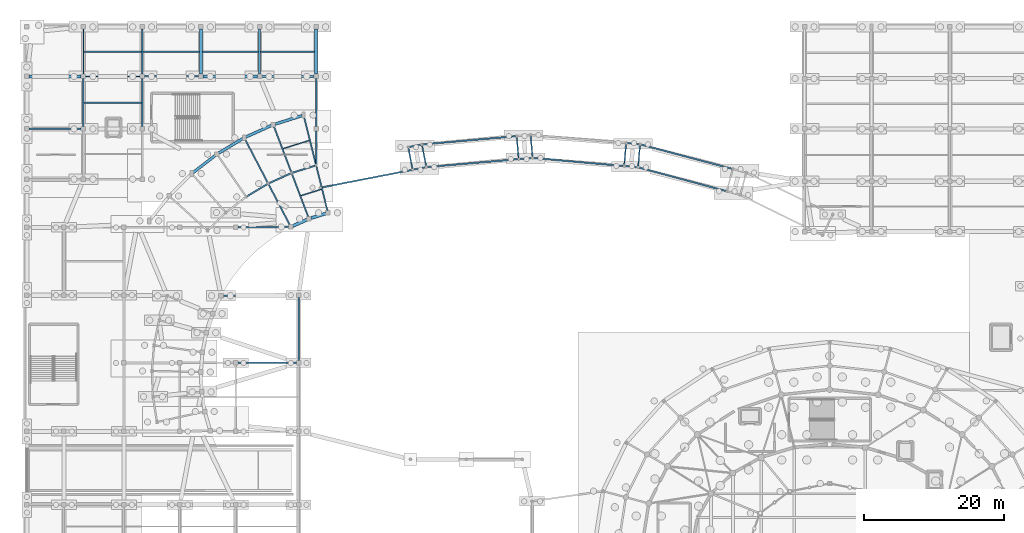
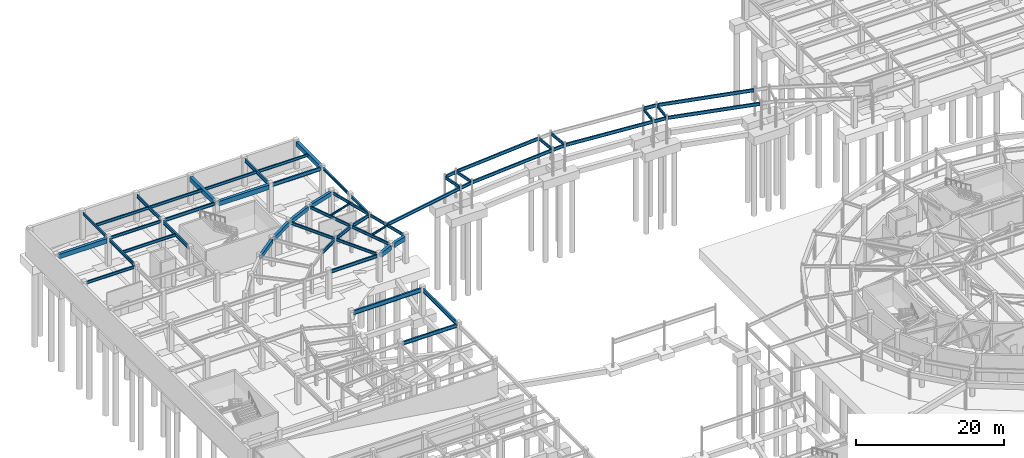
# One storey, part 31 of 68: 58 beams.
"""IFC4 building model written with IfcOpenShell, lengths in metres."""

from ifc_helpers import new_model, si_unit, direction, frame, origin, origin_2d, place, context, subcontext, project, spatial, rectangle, i_section, extrude, material, material_profile, profile_set, type_object, element, save


model = new_model("IFC4")

# Units and contexts
model_context = context("Model", 3, precision=1e-05, world=origin(), true_north=direction((0.0, 1.0)))
body_context = subcontext(model_context, "Body", "Model", "MODEL_VIEW")
ifc_project = project(units=[si_unit("LENGTHUNIT", "METRE"), si_unit("AREAUNIT", "SQUARE_METRE"), si_unit("VOLUMEUNIT", "CUBIC_METRE"), si_unit("PLANEANGLEUNIT", "RADIAN"), si_unit("MASSUNIT", "GRAM", prefix="KILO")], contexts=[model_context])

# Site, building, storey
site_placement = place(None, origin())
site = spatial("IfcSite", under=ifc_project, at=site_placement, CompositionType="ELEMENT")
building_placement = place(site_placement, origin())
building = spatial("IfcBuilding", under=site, at=building_placement, Name="Cinderbank Siding Concert Hall", CompositionType="ELEMENT")
storey_placement = place(building_placement, frame((0.0, 0.0, -4.800048828125)))
storey = spatial("IfcBuildingStorey", under=building, at=storey_placement, Name="B1", CompositionType="ELEMENT", Elevation=-4.800048828125)

# Beams
ifc_material_1 = material(Name="Reinforced concrete AS 3600 N50 (50 MPa)", Category="concrete")
ifc_material_profile_1 = material_profile(ifc_material_1, rectangle(XDim=0.39990234375, YDim=0.64990234375, at=origin_2d()), Name="RC-BM-400x650", Category="LoadBearing")
ifc_profile_set_1 = profile_set([ifc_material_profile_1], Name="Reinforced concrete AS 3600 N50 (50 MPa)")
beam_type_1 = type_object("IfcBeamType", Name="BM-RC650 RC-BM-400x650", PredefinedType="BEAM", material=ifc_profile_set_1)
for number, where, z_axis, x_axis, name in (
    (1, (46.503173828125, 105.194580078125, 4.156982421875), (-0.954236559392, -0.299052819281, 0.0), (0.299052819281, -0.954236559392, 0.0), "B1 Beam BM-RC650 #856"),
    (2, (42.07470703125, 103.767333984375, 4.156982421875), (-0.912123623418, -0.409915229776, 0.0), (0.409915229776, -0.912123623418, 0.0), "B1 Beam BM-RC650 #865"),
    (3, (38.0234375, 101.91845703125, 4.156982421875), (-0.857176665491, -0.515022488963, 0.0), (0.515022488963, -0.857176665491, 0.0), "B1 Beam BM-RC650 #869"),
    (4, (34.0546875, 99.489990234375, 4.156982421875), (-0.790152585681, -0.612910182115, 0.0), (0.612910182115, -0.790152585681, 0.0), "B1 Beam BM-RC650 #872"),
):
    element("IfcBeam", number, at=place(storey_placement, frame(where, z_axis=z_axis, x_axis=x_axis)), inside=storey, type_object=beam_type_1, Name=name, PredefinedType="BEAM", context=body_context, shape_type="SweptSolid", body=[
        extrude(rectangle(XDim=0.39990234375, YDim=0.64990234375, at=origin_2d()), origin(), (0.0, 0.0, 1.0), 4.020751953125),
    ])
ifc_material_profile_2 = material_profile(ifc_material_1, rectangle(XDim=0.449951171875, YDim=0.75, at=origin_2d()), Name="RC-BM-450x750", Category="LoadBearing")
ifc_profile_set_2 = profile_set([ifc_material_profile_2], Name="Reinforced concrete AS 3600 N50 (50 MPa)")
beam_type_2 = type_object("IfcBeamType", Name="BM-RC750 RC-BM-450x750", PredefinedType="BEAM", material=ifc_profile_set_2)
for number, where, z_axis, x_axis, name in (
    (5, (49.891357421875, 91.1923828125, 4.10693359375), (-0.954222454212, -0.299097823259, 0.0), (0.299097823259, -0.954222454212, 0.0), "B1 Beam BM-RC750 #854"),
    (6, (47.188232421875, 90.305908203125, 4.10693359375), (-0.912092768776, -0.40998387913, 0.0), (0.40998387913, -0.912092768776, 0.0), "B1 Beam BM-RC750 #863"),
):
    element("IfcBeam", number, at=place(storey_placement, frame(where, z_axis=z_axis, x_axis=x_axis)), inside=storey, type_object=beam_type_2, Name=name, PredefinedType="BEAM", context=body_context, shape_type="SweptSolid", body=[
        extrude(rectangle(XDim=0.449951171875, YDim=0.75, at=origin_2d()), origin(), (0.0, 0.0, 1.0), 2.212890625),
    ])
beam_1_placement = place(storey_placement, frame((7.4169921875, 110.800048828125, 4.14697265625), z_axis=(1.0, 0.0, 0.0), x_axis=(0.0, 1.0, 0.0)))
element("IfcBeam", 7, at=beam_1_placement, inside=storey, type_object=beam_type_2, Name="B1 Beam BM-RC750 #1141", PredefinedType="BEAM", context=body_context, shape_type="SweptSolid", body=[
    extrude(rectangle(XDim=0.449951171875, YDim=0.75, at=origin_2d()), origin(), (0.0, 0.0, 1.0), 7.466064453125),
])
beam_2_placement = place(storey_placement, frame((32.31689453125, 110.800048828125, 4.14697265625), z_axis=(1.0, 0.0, 0.0), x_axis=(0.0, 1.0, 0.0)))
element("IfcBeam", 8, at=beam_2_placement, inside=storey, type_object=beam_type_2, Name="B1 Beam BM-RC750 #1151", PredefinedType="BEAM", context=body_context, shape_type="SweptSolid", body=[
    extrude(rectangle(XDim=0.449951171875, YDim=0.75, at=origin_2d()), origin(), (0.0, 0.0, 1.0), 7.76611328125),
])
for number, where, z_axis, x_axis, name in (
    (9, (32.0, 111.116943359375, 4.14697265625), (0.0, 1.0, 0.0), (-1.0, 0.0, 0.0), "B1 Beam BM-RC750 #1152"),
    (10, (48.5, 111.116943359375, 4.14697265625), (0.0, 1.0, 0.0), (-1.0, 0.0, 0.0), "B1 Beam BM-RC750 #1156"),
):
    element("IfcBeam", number, at=place(storey_placement, frame(where, z_axis=z_axis, x_axis=x_axis)), inside=storey, type_object=beam_type_2, Name=name, PredefinedType="BEAM", context=body_context, shape_type="SweptSolid", body=[
        extrude(rectangle(XDim=0.449951171875, YDim=0.75, at=origin_2d()), origin(), (0.0, 0.0, 1.0), 6.466064453125),
    ])
ifc_material_2 = material(Name="Structural steel AS/NZS 3679.1 Grade 350 (340 MPa)", Category="steel")
ifc_material_profile_3 = material_profile(ifc_material_2, i_section(OverallWidth=0.18994140625, OverallDepth=0.45751953125, WebThickness=0.009033203125, FlangeThickness=0.014404296875, at=origin_2d()), Name="460UB74.6", Category="LoadBearing")
ifc_profile_set_3 = profile_set([ifc_material_profile_3], Name="Structural steel AS/NZS 3679.1 Grade 350 (340 MPa)")
beam_type_3 = type_object("IfcBeamType", Name="BM-UB460 460UB74.6", PredefinedType="BEAM", material=ifc_profile_set_3)
beam_3_placement = place(storey_placement, frame((61.70751953125, 100.532958984375, 4.25146484375), z_axis=(0.190871843299, -0.981614964961, 0.0), x_axis=(0.981614964961, 0.190871843299, 0.0)))
element("IfcBeam", 11, at=beam_3_placement, inside=storey, type_object=beam_type_3, Name="B1 Beam BM-UB460 #37", PredefinedType="BEAM", context=body_context, shape_type="SweptSolid", body=[
    extrude(i_section(OverallWidth=0.18994140625, OverallDepth=0.45751953125, WebThickness=0.009033203125, FlangeThickness=0.014404296875, at=origin_2d()), origin(), (0.0, 0.0, 1.0), 2.99169921875),
])
beam_4_placement = place(storey_placement, frame((63.67138671875, 100.914794921875, 4.25146484375), z_axis=(0.190574864555, -0.981672664894, 0.0), x_axis=(0.981672664894, 0.190574864555, 0.0)))
element("IfcBeam", 12, at=beam_4_placement, inside=storey, type_object=beam_type_3, Name="B1 Beam BM-UB460 #40", PredefinedType="BEAM", context=body_context, shape_type="SweptSolid", body=[
    extrude(i_section(OverallWidth=0.18994140625, OverallDepth=0.45751953125, WebThickness=0.009033203125, FlangeThickness=0.014404296875, at=origin_2d()), origin(), (0.0, 0.0, 1.0), 2.99267578125),
])
beam_5_placement = place(storey_placement, frame((77.21435546875, 102.107666015625, 4.25146484375), z_axis=(0.087319812676, -0.996180330219, 0.0), x_axis=(0.996180330219, 0.087319812676, 0.0)))
element("IfcBeam", 13, at=beam_5_placement, inside=storey, type_object=beam_type_3, Name="B1 Beam BM-UB460 #43", PredefinedType="BEAM", context=body_context, shape_type="SweptSolid", body=[
    extrude(i_section(OverallWidth=0.18994140625, OverallDepth=0.45751953125, WebThickness=0.009033203125, FlangeThickness=0.014404296875, at=origin_2d()), origin(), (0.0, 0.0, 1.0), 2.99169921875),
])
beam_6_placement = place(storey_placement, frame((79.20751953125, 102.28271484375, 4.25146484375), z_axis=(0.0868866097, -0.99621820755, 0.0), x_axis=(0.99621820755, 0.0868866097, 0.0)))
element("IfcBeam", 14, at=beam_6_placement, inside=storey, type_object=beam_type_3, Name="B1 Beam BM-UB460 #46", PredefinedType="BEAM", context=body_context, shape_type="SweptSolid", body=[
    extrude(i_section(OverallWidth=0.18994140625, OverallDepth=0.45751953125, WebThickness=0.009033203125, FlangeThickness=0.014404296875, at=origin_2d()), origin(), (0.0, 0.0, 1.0), 2.992431640625),
])
beam_7_placement = place(storey_placement, frame((92.856689453125, 101.110595703125, 4.25146484375), z_axis=(-0.086995858577, -0.996208673216, 0.0), x_axis=(0.996208673216, -0.086995858577, 0.0)))
element("IfcBeam", 15, at=beam_7_placement, inside=storey, type_object=beam_type_3, Name="B1 Beam BM-UB460 #49", PredefinedType="BEAM", context=body_context, shape_type="SweptSolid", body=[
    extrude(i_section(OverallWidth=0.18994140625, OverallDepth=0.45751953125, WebThickness=0.009033203125, FlangeThickness=0.014404296875, at=origin_2d()), origin(), (0.0, 0.0, 1.0), 2.991455078125),
])
beam_8_placement = place(storey_placement, frame((94.849609375, 100.9365234375, 4.25146484375), z_axis=(-0.087291427009, -0.996182817946, 0.0), x_axis=(0.996182817946, -0.087291427009, 0.0)))
element("IfcBeam", 16, at=beam_8_placement, inside=storey, type_object=beam_type_3, Name="B1 Beam BM-UB460 #52", PredefinedType="BEAM", context=body_context, shape_type="SweptSolid", body=[
    extrude(i_section(OverallWidth=0.18994140625, OverallDepth=0.45751953125, WebThickness=0.009033203125, FlangeThickness=0.014404296875, at=origin_2d()), origin(), (0.0, 0.0, 1.0), 2.99267578125),
])
beam_9_placement = place(storey_placement, frame((50.1171875, 91.5947265625, 4.25341796875), z_axis=(-0.241920293747, 0.970296125661, 0.0), x_axis=(-0.970296125661, -0.241920293747, 0.0)))
element("IfcBeam", 17, at=beam_9_placement, inside=storey, type_object=beam_type_3, Name="B1 Beam BM-UB460 #857", PredefinedType="BEAM", context=body_context, shape_type="SweptSolid", body=[
    extrude(i_section(OverallWidth=0.18994140625, OverallDepth=0.45751953125, WebThickness=0.009033203125, FlangeThickness=0.014404296875, at=origin_2d()), origin(), (0.0, 0.0, 1.0), 6.535400390625),
])
beam_10_placement = place(storey_placement, frame((47.36474609375, 90.732177734375, 4.25341796875), z_axis=(-0.355082002148, 0.934835157528, 0.0), x_axis=(-0.934835157528, -0.355082002148, 0.0)))
element("IfcBeam", 18, at=beam_10_placement, inside=storey, type_object=beam_type_3, Name="B1 Beam BM-UB460 #858", PredefinedType="BEAM", context=body_context, shape_type="SweptSolid", body=[
    extrude(i_section(OverallWidth=0.18994140625, OverallDepth=0.45751953125, WebThickness=0.009033203125, FlangeThickness=0.014404296875, at=origin_2d()), origin(), (0.0, 0.0, 1.0), 6.537353515625),
])
beam_11_placement = place(storey_placement, frame((48.464599609375, 98.222412109375, 4.25341796875), z_axis=(-0.241906857556, 0.970299475558, 0.0), x_axis=(-0.970299475558, -0.241906857556, 0.0)))
element("IfcBeam", 19, at=beam_11_placement, inside=storey, type_object=beam_type_3, Name="B1 Beam BM-UB460 #860", PredefinedType="BEAM", context=body_context, shape_type="SweptSolid", body=[
    extrude(i_section(OverallWidth=0.18994140625, OverallDepth=0.45751953125, WebThickness=0.009033203125, FlangeThickness=0.014404296875, at=origin_2d()), origin(), (0.0, 0.0, 1.0), 7.035400390625),
])
beam_12_placement = place(storey_placement, frame((44.93994140625, 97.115478515625, 4.25341796875), z_axis=(-0.355073230115, 0.934838489396, 0.0), x_axis=(-0.934838489396, -0.355073230115, 0.0)))
element("IfcBeam", 20, at=beam_12_placement, inside=storey, type_object=beam_type_3, Name="B1 Beam BM-UB460 #861", PredefinedType="BEAM", context=body_context, shape_type="SweptSolid", body=[
    extrude(i_section(OverallWidth=0.18994140625, OverallDepth=0.45751953125, WebThickness=0.009033203125, FlangeThickness=0.014404296875, at=origin_2d()), origin(), (0.0, 0.0, 1.0), 6.937744140625),
])
beam_13_placement = place(storey_placement, frame((44.73388671875, 89.5498046875, 4.25341796875), z_axis=(-0.463293550512, 0.886204878148, 0.0), x_axis=(-0.886204878148, -0.463293550512, 0.0)))
element("IfcBeam", 21, at=beam_13_placement, inside=storey, type_object=beam_type_3, Name="B1 Beam BM-UB460 #866", PredefinedType="BEAM", context=body_context, shape_type="SweptSolid", body=[
    extrude(i_section(OverallWidth=0.18994140625, OverallDepth=0.45751953125, WebThickness=0.009033203125, FlangeThickness=0.014404296875, at=origin_2d()), origin(), (0.0, 0.0, 1.0), 6.535400390625),
])
beam_14_placement = place(storey_placement, frame((41.569580078125, 95.60302734375, 4.25341796875), z_axis=(-0.46332482009, 0.886188530217, 0.0), x_axis=(-0.886188530217, -0.46332482009, 0.0)))
element("IfcBeam", 22, at=beam_14_placement, inside=storey, type_object=beam_type_3, Name="B1 Beam BM-UB460 #867", PredefinedType="BEAM", context=body_context, shape_type="SweptSolid", body=[
    extrude(i_section(OverallWidth=0.18994140625, OverallDepth=0.45751953125, WebThickness=0.009033203125, FlangeThickness=0.014404296875, at=origin_2d()), origin(), (0.0, 0.0, 1.0), 7.03564453125),
])
beam_15_placement = place(storey_placement, frame((48.5, 98.2265625, 4.25341796875), z_axis=(0.0, 1.0, 0.0), x_axis=(-1.0, 0.0, 0.0)))
element("IfcBeam", 23, at=beam_15_placement, inside=storey, type_object=beam_type_3, Name="B1 Beam BM-UB460 #1065", PredefinedType="BEAM", context=body_context, shape_type="SweptSolid", body=[
    extrude(i_section(OverallWidth=0.18994140625, OverallDepth=0.45751953125, WebThickness=0.009033203125, FlangeThickness=0.014404296875, at=origin_2d()), origin(), (0.0, 0.0, 1.0), 4.75634765625),
])
beam_16_placement = place(storey_placement, frame((7.4169921875, 103.300048828125, 4.29345703125), z_axis=(1.0, 0.0, 0.0), x_axis=(0.0, 1.0, 0.0)))
element("IfcBeam", 24, at=beam_16_placement, inside=storey, type_object=beam_type_3, Name="B1 Beam BM-UB460 #1140", PredefinedType="BEAM", context=body_context, shape_type="SweptSolid", body=[
    extrude(i_section(OverallWidth=0.18994140625, OverallDepth=0.45751953125, WebThickness=0.009033203125, FlangeThickness=0.014404296875, at=origin_2d()), origin(), (0.0, 0.0, 1.0), 7.466064453125),
])
beam_17_placement = place(storey_placement, frame((15.51708984375, 110.800048828125, 4.29345703125), z_axis=(1.0, 0.0, 0.0), x_axis=(0.0, 1.0, 0.0)))
element("IfcBeam", 25, at=beam_17_placement, inside=storey, type_object=beam_type_3, Name="B1 Beam BM-UB460 #1145", PredefinedType="BEAM", context=body_context, shape_type="SweptSolid", body=[
    extrude(i_section(OverallWidth=0.18994140625, OverallDepth=0.45751953125, WebThickness=0.009033203125, FlangeThickness=0.014404296875, at=origin_2d()), origin(), (0.0, 0.0, 1.0), 7.765869140625),
])
beam_18_placement = place(storey_placement, frame((15.199951171875, 111.116943359375, 4.29345703125), z_axis=(0.0, 1.0, 0.0), x_axis=(-1.0, 0.0, 0.0)))
element("IfcBeam", 26, at=beam_18_placement, inside=storey, type_object=beam_type_3, Name="B1 Beam BM-UB460 #1146", PredefinedType="BEAM", context=body_context, shape_type="SweptSolid", body=[
    extrude(i_section(OverallWidth=0.18994140625, OverallDepth=0.45751953125, WebThickness=0.009033203125, FlangeThickness=0.014404296875, at=origin_2d()), origin(), (0.0, 0.0, 1.0), 6.466064453125),
])
beam_19_placement = place(storey_placement, frame((48.5, 103.616943359375, 4.29345703125), z_axis=(0.0, 1.0, 0.0), x_axis=(-1.0, 0.0, 0.0)))
element("IfcBeam", 27, at=beam_19_placement, inside=storey, type_object=beam_type_3, Name="B1 Beam BM-UB460 #1155", PredefinedType="BEAM", context=body_context, shape_type="SweptSolid", body=[
    extrude(i_section(OverallWidth=0.18994140625, OverallDepth=0.45751953125, WebThickness=0.009033203125, FlangeThickness=0.014404296875, at=origin_2d()), origin(), (0.0, 0.0, 1.0), 6.865966796875),
])
ifc_material_profile_4 = material_profile(ifc_material_2, i_section(OverallWidth=0.208984375, OverallDepth=0.5283203125, WebThickness=0.009521484375, FlangeThickness=0.01318359375, at=origin_2d()), Name="530UB82.0", Category="LoadBearing")
ifc_profile_set_4 = profile_set([ifc_material_profile_4], Name="Structural steel AS/NZS 3679.1 Grade 350 (340 MPa)")
beam_type_4 = type_object("IfcBeamType", Name="BM-UB530 530UB82.0", PredefinedType="BEAM", material=ifc_profile_set_4)
beam_20_placement = place(storey_placement, frame((49.26611328125, 94.909423828125, 4.216064453125), z_axis=(0.981621871753, 0.190836319644, 0.0), x_axis=(-0.190836319644, 0.981621871753, 0.0)))
element("IfcBeam", 28, at=beam_20_placement, inside=storey, type_object=beam_type_4, Name="B1 Beam BM-UB530 #36", PredefinedType="BEAM", context=body_context, shape_type="SweptSolid", body=[
    extrude(i_section(OverallWidth=0.208984375, OverallDepth=0.5283203125, WebThickness=0.009521484375, FlangeThickness=0.01318359375, at=origin_2d()), origin(), (0.0, 0.0, 1.0), 13.13232421875),
])
beam_21_placement = place(storey_placement, frame((61.8291015625, 100.71337890625, 4.216064453125), z_axis=(0.981604130314, 0.190927555242, 0.0), x_axis=(-0.190927555242, 0.981604130314, 0.0)))
element("IfcBeam", 29, at=beam_21_placement, inside=storey, type_object=beam_type_4, Name="B1 Beam BM-UB530 #38", PredefinedType="BEAM", context=body_context, shape_type="SweptSolid", body=[
    extrude(i_section(OverallWidth=0.208984375, OverallDepth=0.5283203125, WebThickness=0.009521484375, FlangeThickness=0.01318359375, at=origin_2d()), origin(), (0.0, 0.0, 1.0), 1.693115234375),
])
beam_22_placement = place(storey_placement, frame((62.458984375, 97.474365234375, 4.216064453125), z_axis=(0.981691164941, 0.190479543984, 0.0), x_axis=(-0.190479543984, 0.981691164941, 0.0)))
element("IfcBeam", 30, at=beam_22_placement, inside=storey, type_object=beam_type_4, Name="B1 Beam BM-UB530 #39", PredefinedType="BEAM", context=body_context, shape_type="SweptSolid", body=[
    extrude(i_section(OverallWidth=0.208984375, OverallDepth=0.5283203125, WebThickness=0.009521484375, FlangeThickness=0.01318359375, at=origin_2d()), origin(), (0.0, 0.0, 1.0), 1.69189453125),
])
beam_23_placement = place(storey_placement, frame((63.79541015625, 101.07958984375, 4.216064453125), z_axis=(0.996138682073, 0.087793656252, 0.0), x_axis=(-0.087793656252, 0.996138682073, 0.0)))
element("IfcBeam", 31, at=beam_23_placement, inside=storey, type_object=beam_type_4, Name="B1 Beam BM-UB530 #41", PredefinedType="BEAM", context=body_context, shape_type="SweptSolid", body=[
    extrude(i_section(OverallWidth=0.208984375, OverallDepth=0.5283203125, WebThickness=0.009521484375, FlangeThickness=0.01318359375, at=origin_2d()), origin(), (0.0, 0.0, 1.0), 13.303466796875),
])
beam_24_placement = place(storey_placement, frame((64.42431640625, 97.83935546875, 4.216064453125), z_axis=(0.99624984248, 0.086523126151, 0.0), x_axis=(-0.086523126151, 0.99624984248, 0.0)))
element("IfcBeam", 32, at=beam_24_placement, inside=storey, type_object=beam_type_4, Name="B1 Beam BM-UB530 #42", PredefinedType="BEAM", context=body_context, shape_type="SweptSolid", body=[
    extrude(i_section(OverallWidth=0.208984375, OverallDepth=0.5283203125, WebThickness=0.009521484375, FlangeThickness=0.01318359375, at=origin_2d()), origin(), (0.0, 0.0, 1.0), 12.9599609375),
])
beam_25_placement = place(storey_placement, frame((77.642333984375, 98.9873046875, 4.216064453125), z_axis=(0.996206395204, 0.08702194065, 0.0), x_axis=(-0.08702194065, 0.996206395204, 0.0)))
element("IfcBeam", 33, at=beam_25_placement, inside=storey, type_object=beam_type_4, Name="B1 Beam BM-UB530 #45", PredefinedType="BEAM", context=body_context, shape_type="SweptSolid", body=[
    extrude(i_section(OverallWidth=0.208984375, OverallDepth=0.5283203125, WebThickness=0.009521484375, FlangeThickness=0.01318359375, at=origin_2d()), origin(), (0.0, 0.0, 1.0), 1.691650390625),
])
beam_26_placement = place(storey_placement, frame((79.63427734375, 99.13427734375, 4.216064453125), z_axis=(0.996030066143, -0.089017455253, 0.0), x_axis=(0.089017455253, 0.996030066143, 0.0)))
element("IfcBeam", 34, at=beam_26_placement, inside=storey, type_object=beam_type_4, Name="B1 Beam BM-UB530 #48", PredefinedType="BEAM", context=body_context, shape_type="SweptSolid", body=[
    extrude(i_section(OverallWidth=0.208984375, OverallDepth=0.5283203125, WebThickness=0.009521484375, FlangeThickness=0.01318359375, at=origin_2d()), origin(), (0.0, 0.0, 1.0), 12.846435546875),
])
beam_27_placement = place(storey_placement, frame((93.0234375, 101.25048828125, 4.216064453125), z_axis=(0.9962232494, -0.086828781836, 0.0), x_axis=(0.086828781836, 0.9962232494, 0.0)))
element("IfcBeam", 35, at=beam_27_placement, inside=storey, type_object=beam_type_4, Name="B1 Beam BM-UB530 #50", PredefinedType="BEAM", context=body_context, shape_type="SweptSolid", body=[
    extrude(i_section(OverallWidth=0.208984375, OverallDepth=0.5283203125, WebThickness=0.009521484375, FlangeThickness=0.01318359375, at=origin_2d()), origin(), (0.0, 0.0, 1.0), 1.692626953125),
])
beam_28_placement = place(storey_placement, frame((92.736328125, 97.96337890625, 4.216064453125), z_axis=(0.996168771185, -0.087451582694, 0.0), x_axis=(0.087451582694, 0.996168771185, 0.0)))
element("IfcBeam", 36, at=beam_28_placement, inside=storey, type_object=beam_type_4, Name="B1 Beam BM-UB530 #51", PredefinedType="BEAM", context=body_context, shape_type="SweptSolid", body=[
    extrude(i_section(OverallWidth=0.208984375, OverallDepth=0.5283203125, WebThickness=0.009521484375, FlangeThickness=0.01318359375, at=origin_2d()), origin(), (0.0, 0.0, 1.0), 1.69189453125),
])
beam_29_placement = place(storey_placement, frame((95.01171875, 101.05029296875, 4.216064453125), z_axis=(0.966388776608, -0.257085068502, 0.0), x_axis=(0.257085068502, 0.966388776608, 0.0)))
element("IfcBeam", 37, at=beam_29_placement, inside=storey, type_object=beam_type_4, Name="B1 Beam BM-UB530 #53", PredefinedType="BEAM", context=body_context, shape_type="SweptSolid", body=[
    extrude(i_section(OverallWidth=0.208984375, OverallDepth=0.5283203125, WebThickness=0.009521484375, FlangeThickness=0.01318359375, at=origin_2d()), origin(), (0.0, 0.0, 1.0), 13.41845703125),
])
beam_30_placement = place(storey_placement, frame((94.7236328125, 97.761962890625, 4.216064453125), z_axis=(0.9654408473, -0.260622275267, 0.0), x_axis=(0.260622275267, 0.9654408473, 0.0)))
element("IfcBeam", 38, at=beam_30_placement, inside=storey, type_object=beam_type_4, Name="B1 Beam BM-UB530 #54", PredefinedType="BEAM", context=body_context, shape_type="SweptSolid", body=[
    extrude(i_section(OverallWidth=0.208984375, OverallDepth=0.5283203125, WebThickness=0.009521484375, FlangeThickness=0.01318359375, at=origin_2d()), origin(), (0.0, 0.0, 1.0), 12.845703125),
])
beam_31_placement = place(storey_placement, frame((48.359619140625, 98.03515625, 4.218017578125), z_axis=(-0.954235740553, -0.299055432072, 0.0), x_axis=(0.299055432072, -0.954235740553, 0.0)))
element("IfcBeam", 39, at=beam_31_placement, inside=storey, type_object=beam_type_4, Name="B1 Beam BM-UB530 #855", PredefinedType="BEAM", context=body_context, shape_type="SweptSolid", body=[
    extrude(i_section(OverallWidth=0.208984375, OverallDepth=0.5283203125, WebThickness=0.009521484375, FlangeThickness=0.01318359375, at=origin_2d()), origin(), (0.0, 0.0, 1.0), 3.3837890625),
])
beam_32_placement = place(storey_placement, frame((44.85888671875, 96.919921875, 4.218017578125), z_axis=(-0.912119832761, -0.409923664459, 0.0), x_axis=(0.409923664459, -0.912119832761, 0.0)))
element("IfcBeam", 40, at=beam_32_placement, inside=storey, type_object=beam_type_4, Name="B1 Beam BM-UB530 #864", PredefinedType="BEAM", context=body_context, shape_type="SweptSolid", body=[
    extrude(i_section(OverallWidth=0.208984375, OverallDepth=0.5283203125, WebThickness=0.009521484375, FlangeThickness=0.01318359375, at=origin_2d()), origin(), (0.0, 0.0, 1.0), 3.384033203125),
])
beam_33_placement = place(storey_placement, frame((41.511474609375, 95.396240234375, 4.218017578125), z_axis=(-0.857180863859, -0.515015501354, 0.0), x_axis=(0.515015501354, -0.857180863859, 0.0)))
element("IfcBeam", 41, at=beam_33_placement, inside=storey, type_object=beam_type_4, Name="B1 Beam BM-UB530 #868", PredefinedType="BEAM", context=body_context, shape_type="SweptSolid", body=[
    extrude(i_section(OverallWidth=0.208984375, OverallDepth=0.5283203125, WebThickness=0.009521484375, FlangeThickness=0.01318359375, at=origin_2d()), origin(), (0.0, 0.0, 1.0), 3.38427734375),
])
beam_34_placement = place(storey_placement, frame((15.199951171875, 103.616943359375, 4.258056640625), z_axis=(0.0, 1.0, 0.0), x_axis=(-1.0, 0.0, 0.0)))
element("IfcBeam", 42, at=beam_34_placement, inside=storey, type_object=beam_type_4, Name="B1 Beam BM-UB530 #1144", PredefinedType="BEAM", context=body_context, shape_type="SweptSolid", body=[
    extrude(i_section(OverallWidth=0.208984375, OverallDepth=0.5283203125, WebThickness=0.009521484375, FlangeThickness=0.01318359375, at=origin_2d()), origin(), (0.0, 0.0, 1.0), 6.865966796875),
])
beam_35_placement = place(storey_placement, frame((23.9169921875, 110.800048828125, 4.258056640625), z_axis=(1.0, 0.0, 0.0), x_axis=(0.0, 1.0, 0.0)))
element("IfcBeam", 43, at=beam_35_placement, inside=storey, type_object=beam_type_4, Name="B1 Beam BM-UB530 #1149", PredefinedType="BEAM", context=body_context, shape_type="SweptSolid", body=[
    extrude(i_section(OverallWidth=0.208984375, OverallDepth=0.5283203125, WebThickness=0.009521484375, FlangeThickness=0.01318359375, at=origin_2d()), origin(), (0.0, 0.0, 1.0), 7.76611328125),
])
beam_36_placement = place(storey_placement, frame((23.60009765625, 111.116943359375, 4.258056640625), z_axis=(0.0, 1.0, 0.0), x_axis=(-1.0, 0.0, 0.0)))
element("IfcBeam", 44, at=beam_36_placement, inside=storey, type_object=beam_type_4, Name="B1 Beam BM-UB530 #1150", PredefinedType="BEAM", context=body_context, shape_type="SweptSolid", body=[
    extrude(i_section(OverallWidth=0.208984375, OverallDepth=0.5283203125, WebThickness=0.009521484375, FlangeThickness=0.01318359375, at=origin_2d()), origin(), (0.0, 0.0, 1.0), 6.466064453125),
])
beam_37_placement = place(storey_placement, frame((37.31689453125, 89.202880859375, 4.218017578125), z_axis=(0.999961937274, 0.00872490708, 0.0), x_axis=(-0.00872490708, 0.999961937274, 0.0)))
element("IfcBeam", 45, at=beam_37_placement, inside=storey, type_object=beam_type_4, Name="B1 Beam BM-UB530 #1220", PredefinedType="BEAM", context=body_context, shape_type="SweptSolid", body=[
    extrude(i_section(OverallWidth=0.208984375, OverallDepth=0.5283203125, WebThickness=0.009521484375, FlangeThickness=0.01318359375, at=origin_2d()), origin(), (0.0, 0.0, 1.0), 7.247314453125),
])
ifc_material_profile_5 = material_profile(ifc_material_2, i_section(OverallWidth=0.22802734375, OverallDepth=0.602294921875, WebThickness=0.010498046875, FlangeThickness=0.014892578125, at=origin_2d()), Name="610UB101", Category="LoadBearing")
ifc_profile_set_5 = profile_set([ifc_material_profile_5], Name="Structural steel AS/NZS 3679.1 Grade 350 (340 MPa)")
beam_type_5 = type_object("IfcBeamType", Name="BM-UB610 610UB101", PredefinedType="BEAM", material=ifc_profile_set_5)
beam_38_placement = place(storey_placement, frame((23.60009765625, 103.616943359375, 4.220947265625), z_axis=(0.0, 1.0, 0.0), x_axis=(-1.0, 0.0, 0.0)))
element("IfcBeam", 46, at=beam_38_placement, inside=storey, type_object=beam_type_5, Name="B1 Beam BM-UB610 #1148", PredefinedType="BEAM", context=body_context, shape_type="SweptSolid", body=[
    extrude(i_section(OverallWidth=0.22802734375, OverallDepth=0.602294921875, WebThickness=0.010498046875, FlangeThickness=0.014892578125, at=origin_2d()), origin(), (0.0, 0.0, 1.0), 6.865966796875),
])
beam_39_placement = place(storey_placement, frame((40.717041015625, 110.800048828125, 4.220947265625), z_axis=(1.0, 0.0, 0.0), x_axis=(0.0, 1.0, 0.0)))
element("IfcBeam", 47, at=beam_39_placement, inside=storey, type_object=beam_type_5, Name="B1 Beam BM-UB610 #1153", PredefinedType="BEAM", context=body_context, shape_type="SweptSolid", body=[
    extrude(i_section(OverallWidth=0.22802734375, OverallDepth=0.602294921875, WebThickness=0.010498046875, FlangeThickness=0.014892578125, at=origin_2d()), origin(), (0.0, 0.0, 1.0), 7.466064453125),
])
beam_40_placement = place(storey_placement, frame((40.39990234375, 111.116943359375, 4.220947265625), z_axis=(0.0, 1.0, 0.0), x_axis=(-1.0, 0.0, 0.0)))
element("IfcBeam", 48, at=beam_40_placement, inside=storey, type_object=beam_type_5, Name="B1 Beam BM-UB610 #1154", PredefinedType="BEAM", context=body_context, shape_type="SweptSolid", body=[
    extrude(i_section(OverallWidth=0.22802734375, OverallDepth=0.602294921875, WebThickness=0.010498046875, FlangeThickness=0.014892578125, at=origin_2d()), origin(), (0.0, 0.0, 1.0), 6.466064453125),
])
beam_41_placement = place(storey_placement, frame((37.31689453125, 69.800048828125, 4.180908203125), z_axis=(1.0, 0.0, 0.0), x_axis=(0.0, 1.0, 0.0)))
element("IfcBeam", 49, at=beam_41_placement, inside=storey, type_object=beam_type_5, Name="B1 Beam BM-UB610 #1219", PredefinedType="BEAM", context=body_context, shape_type="SweptSolid", body=[
    extrude(i_section(OverallWidth=0.22802734375, OverallDepth=0.602294921875, WebThickness=0.010498046875, FlangeThickness=0.014892578125, at=origin_2d()), origin(), (0.0, 0.0, 1.0), 8.3662109375),
])
ifc_material_3 = material(Name="Structural steel welded plate section AS/NZS 3679.2 / AS/NZS 3678 Grade 350 (340 MPa)", Category="steel")
ifc_material_profile_6 = material_profile(ifc_material_3, i_section(OverallWidth=0.25, OverallDepth=0.699951171875, WebThickness=0.010009765625, FlangeThickness=0.01611328125, at=origin_2d()), Name="700WB130", Category="LoadBearing")
ifc_profile_set_6 = profile_set([ifc_material_profile_6], Name="Structural steel welded plate section AS/NZS 3679.2 / AS/NZS 3678 Grade 350 (340 MPa)")
beam_type_6 = type_object("IfcBeamType", Name="BM-WB700 700WB130", PredefinedType="BEAM", material=ifc_profile_set_6)
beam_42_placement = place(storey_placement, frame((35.205078125, 79.41748046875, 4.132080078125), z_axis=(0.999970797521, 0.007642257831, 0.0), x_axis=(-0.007642257831, 0.999970797521, 0.0)))
element("IfcBeam", 50, at=beam_42_placement, inside=storey, type_object=beam_type_6, Name="B1 Beam BM-WB700 #1066", PredefinedType="BEAM", context=body_context, shape_type="SweptSolid", body=[
    extrude(i_section(OverallWidth=0.25, OverallDepth=0.699951171875, WebThickness=0.010009765625, FlangeThickness=0.01611328125, at=origin_2d()), origin(), (0.0, 0.0, 1.0), 10.478271484375),
])
beam_43_placement = place(storey_placement, frame((46.0, 70.116943359375, 4.132080078125), z_axis=(0.0, 1.0, 0.0), x_axis=(-1.0, 0.0, 0.0)))
element("IfcBeam", 51, at=beam_43_placement, inside=storey, type_object=beam_type_6, Name="B1 Beam BM-WB700 #1224", PredefinedType="BEAM", context=body_context, shape_type="SweptSolid", body=[
    extrude(i_section(OverallWidth=0.25, OverallDepth=0.699951171875, WebThickness=0.010009765625, FlangeThickness=0.01611328125, at=origin_2d()), origin(), (0.0, 0.0, 1.0), 9.066162109375),
])
ifc_material_profile_7 = material_profile(ifc_material_2, i_section(OverallWidth=0.1650390625, OverallDepth=0.303955078125, WebThickness=0.006103515625, FlangeThickness=0.01025390625, at=origin_2d()), Name="310UB40.4", Category="LoadBearing")
ifc_profile_set_7 = profile_set([ifc_material_profile_7], Name="Structural steel AS/NZS 3679.1 Grade 350 (340 MPa)")
beam_type_7 = type_object("IfcBeamType", Name="JS-UB310 310UB40.4", PredefinedType="JOIST", material=ifc_profile_set_7)
beam_44_placement = place(storey_placement, frame((49.26220703125, 94.656494140625, 4.330078125), z_axis=(-0.954244423023, -0.299027726355, 0.0), x_axis=(0.299027726355, -0.954244423023, 0.0)))
element("IfcBeam", 52, at=beam_44_placement, inside=storey, type_object=beam_type_7, Name="B1 Beam JS-UB310 #859", PredefinedType="JOIST", context=body_context, shape_type="SweptSolid", body=[
    extrude(i_section(OverallWidth=0.1650390625, OverallDepth=0.303955078125, WebThickness=0.006103515625, FlangeThickness=0.01025390625, at=origin_2d()), origin(), (0.0, 0.0, 1.0), 3.083740234375),
])
ifc_material_profile_8 = material_profile(ifc_material_2, i_section(OverallWidth=0.14892578125, OverallDepth=0.298095703125, WebThickness=0.005615234375, FlangeThickness=0.008056640625, at=origin_2d()), Name="310UB32.0", Category="LoadBearing")
ifc_profile_set_8 = profile_set([ifc_material_profile_8], Name="Structural steel AS/NZS 3679.1 Grade 350 (340 MPa)")
beam_type_8 = type_object("IfcBeamType", Name="JS-UB310L 310UB32.0", PredefinedType="JOIST", material=ifc_profile_set_8)
beam_45_placement = place(storey_placement, frame((47.5205078125, 101.642578125, 4.3330078125), z_axis=(-0.954250242352, -0.299009155331, 0.0), x_axis=(0.299009155331, -0.954250242352, 0.0)))
element("IfcBeam", 53, at=beam_45_placement, inside=storey, type_object=beam_type_8, Name="B1 Beam JS-UB310L #862", PredefinedType="JOIST", context=body_context, shape_type="SweptSolid", body=[
    extrude(i_section(OverallWidth=0.14892578125, OverallDepth=0.298095703125, WebThickness=0.005615234375, FlangeThickness=0.008056640625, at=origin_2d()), origin(), (0.0, 0.0, 1.0), 3.93798828125),
])
ifc_material_profile_9 = material_profile(ifc_material_2, i_section(OverallWidth=0.18994140625, OverallDepth=0.453857421875, WebThickness=0.008544921875, FlangeThickness=0.0126953125, at=origin_2d()), Name="460UB67.1", Category="LoadBearing")
ifc_profile_set_9 = profile_set([ifc_material_profile_9], Name="Structural steel AS/NZS 3679.1 Grade 350 (340 MPa)")
beam_type_9 = type_object("IfcBeamType", Name="JS-UB460 460UB67.1", PredefinedType="JOIST", material=ifc_profile_set_9)
beam_46_placement = place(storey_placement, frame((15.29638671875, 107.050048828125, 4.295166015625), z_axis=(1.0, 0.0, 0.0), x_axis=(0.0, 1.0, 0.0)))
element("IfcBeam", 54, at=beam_46_placement, inside=storey, type_object=beam_type_9, Name="B1 Beam JS-UB460 #1257", PredefinedType="JOIST", context=body_context, shape_type="SweptSolid", body=[
    extrude(i_section(OverallWidth=0.18994140625, OverallDepth=0.453857421875, WebThickness=0.008544921875, FlangeThickness=0.0126953125, at=origin_2d()), origin(), (0.0, 0.0, 1.0), 8.197509765625),
])
beam_47_placement = place(storey_placement, frame((15.287109375, 114.35009765625, 4.295166015625), z_axis=(1.0, 0.0, 0.0), x_axis=(0.0, 1.0, 0.0)))
element("IfcBeam", 55, at=beam_47_placement, inside=storey, type_object=beam_type_9, Name="B1 Beam JS-UB460 #1258", PredefinedType="JOIST", context=body_context, shape_type="SweptSolid", body=[
    extrude(i_section(OverallWidth=0.18994140625, OverallDepth=0.453857421875, WebThickness=0.008544921875, FlangeThickness=0.0126953125, at=origin_2d()), origin(), (0.0, 0.0, 1.0), 8.21630859375),
])
beam_48_placement = place(storey_placement, frame((23.696533203125, 114.35009765625, 4.295166015625), z_axis=(1.0, 0.0, 0.0), x_axis=(0.0, 1.0, 0.0)))
element("IfcBeam", 56, at=beam_48_placement, inside=storey, type_object=beam_type_9, Name="B1 Beam JS-UB460 #1259", PredefinedType="JOIST", context=body_context, shape_type="SweptSolid", body=[
    extrude(i_section(OverallWidth=0.18994140625, OverallDepth=0.453857421875, WebThickness=0.008544921875, FlangeThickness=0.0126953125, at=origin_2d()), origin(), (0.0, 0.0, 1.0), 8.08642578125),
])
beam_49_placement = place(storey_placement, frame((32.217041015625, 114.35009765625, 4.295166015625), z_axis=(1.0, 0.0, 0.0), x_axis=(0.0, 1.0, 0.0)))
element("IfcBeam", 57, at=beam_49_placement, inside=storey, type_object=beam_type_9, Name="B1 Beam JS-UB460 #1260", PredefinedType="JOIST", context=body_context, shape_type="SweptSolid", body=[
    extrude(i_section(OverallWidth=0.18994140625, OverallDepth=0.453857421875, WebThickness=0.008544921875, FlangeThickness=0.0126953125, at=origin_2d()), origin(), (0.0, 0.0, 1.0), 8.076904296875),
])
beam_50_placement = place(storey_placement, frame((40.506103515625, 114.35009765625, 4.295166015625), z_axis=(1.0, 0.0, 0.0), x_axis=(0.0, 1.0, 0.0)))
element("IfcBeam", 58, at=beam_50_placement, inside=storey, type_object=beam_type_9, Name="B1 Beam JS-UB460 #1261", PredefinedType="JOIST", context=body_context, shape_type="SweptSolid", body=[
    extrude(i_section(OverallWidth=0.18994140625, OverallDepth=0.453857421875, WebThickness=0.008544921875, FlangeThickness=0.0126953125, at=origin_2d()), origin(), (0.0, 0.0, 1.0), 7.77685546875),
])

save(model, "model.ifc")
